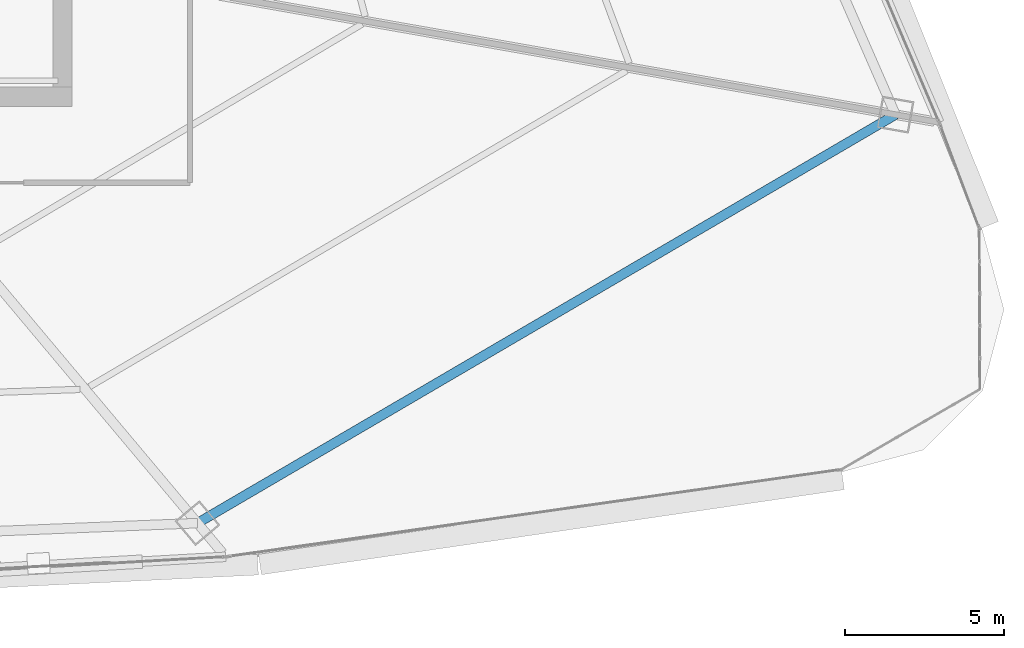
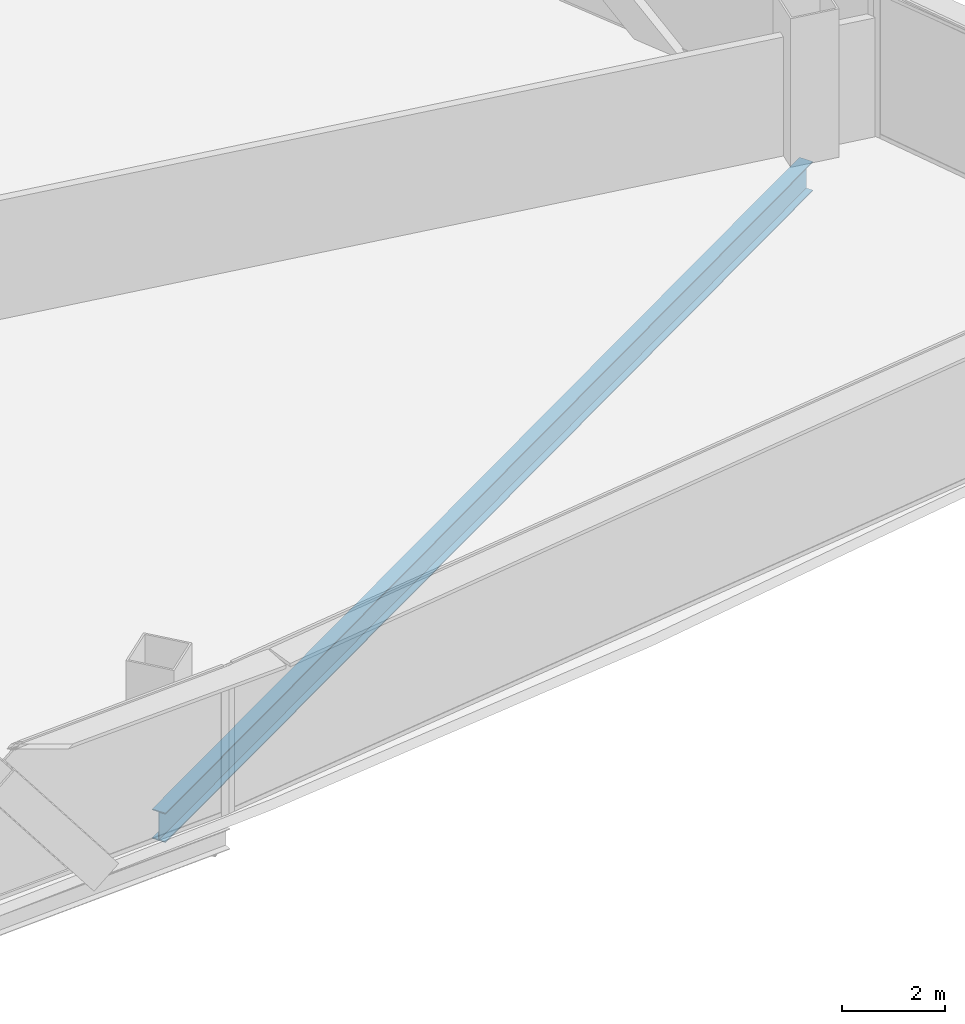
# One storey, part 23 of 41: 1 beam.
"""IFC4 building model written with IfcOpenShell, lengths in metres."""

from ifc_helpers import new_model, si_unit, direction, frame, origin, origin_2d, place, context, subcontext, project, spatial, i_section, extrude, source, transform, mapped, material, material_profile, profile_set, type_object, element, save


model = new_model("IFC4")

# Units and contexts
model_context = context("Model", 3, precision=1e-05, world=origin(), true_north=direction((0.0, 1.0)))
body_context = subcontext(model_context, "Body", "Model", "MODEL_VIEW")
ifc_project = project(units=[si_unit("LENGTHUNIT", "METRE"), si_unit("AREAUNIT", "SQUARE_METRE"), si_unit("VOLUMEUNIT", "CUBIC_METRE"), si_unit("PLANEANGLEUNIT", "RADIAN"), si_unit("MASSUNIT", "GRAM", prefix="KILO"), si_unit("THERMODYNAMICTEMPERATUREUNIT", "KELVIN"), si_unit("POWERUNIT", "WATT")], contexts=[model_context])

# Site, building, storey
site_placement = place(None, origin())
site = spatial("IfcSite", under=ifc_project, at=site_placement, CompositionType="ELEMENT")
building_placement = place(site_placement, origin())
building = spatial("IfcBuilding", under=site, at=building_placement, Name="Yunzhuo Pagoda Commons", CompositionType="ELEMENT")
storey_placement = place(building_placement, frame((0.0, 0.0, 115.3798828125)))
storey = spatial("IfcBuildingStorey", under=building, at=storey_placement, Name="L29", CompositionType="ELEMENT", Elevation=115.3798828125)

# Beam
ifc_material = material(Name="Structural steel Q355B", Category="steel")
ifc_material_profile = material_profile(ifc_material, i_section(OverallWidth=0.300048828125, OverallDepth=0.699951171875, WebThickness=0.012939453125, FlangeThickness=0.02392578125, at=origin_2d()), Name="Structural steel Q355B")
ifc_profile_set = profile_set([ifc_material_profile], Name="Structural steel Q355B")
beam_type = type_object("IfcBeamType", Name="B-RG1 Beam HN 700x300x13x24", PredefinedType="BEAM", material=ifc_profile_set)
shared_shape = source(origin(), body_context, "Body", "SweptSolid", [
    extrude(i_section(OverallWidth=0.300048828125, OverallDepth=0.699951171875, WebThickness=0.012939453125, FlangeThickness=0.02392578125, at=origin_2d()), origin(), (0.0, 0.0, 1.0), 25.3935546875),
])
beam_placement = place(storey_placement, frame((64.43603515625, 14.1123046875, -0.609619140625), z_axis=(0.863085207128, 0.505058338449, 0.0), x_axis=(-0.505058338449, 0.863085207128, 0.0)))
element("IfcBeam", 1, at=beam_placement, inside=storey, type_object=beam_type, Name="L29 column-ring beam 4", PredefinedType="BEAM", context=body_context, shape_type="MappedRepresentation", body=[
    mapped(shared_shape, transform((0.0, 0.0, 0.0), scale=1.0)),
])

save(model, "model.ifc")
